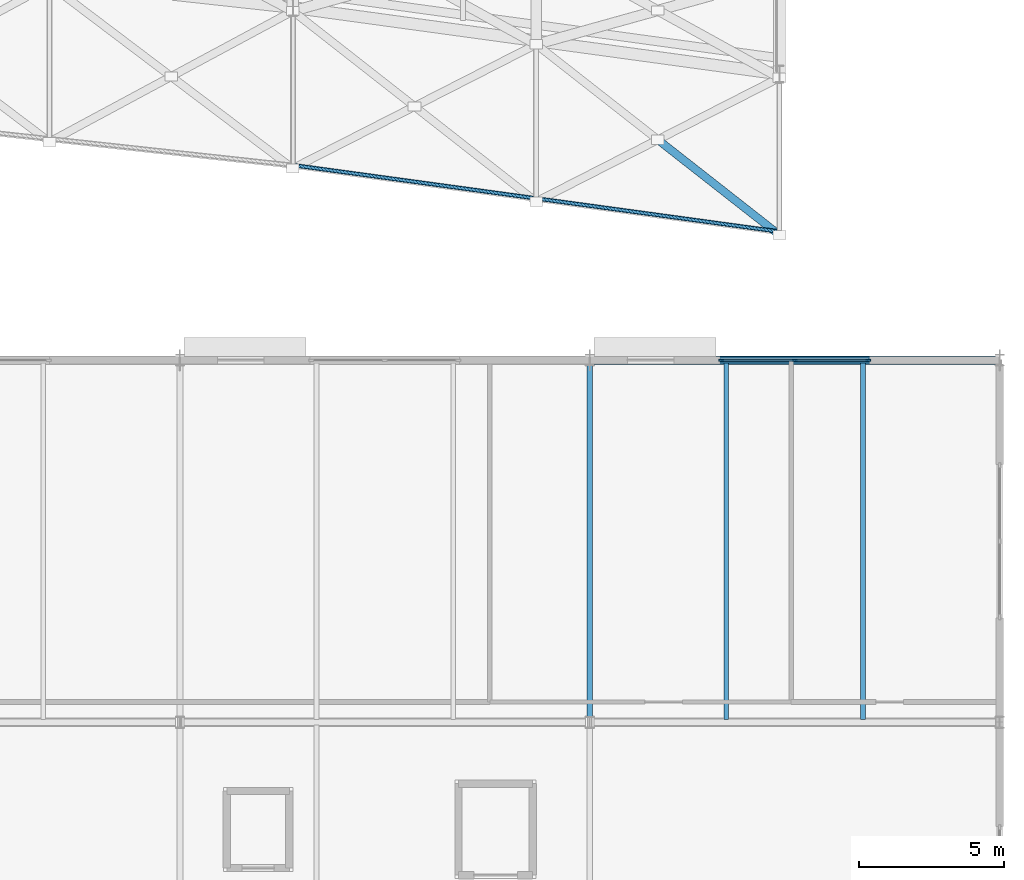
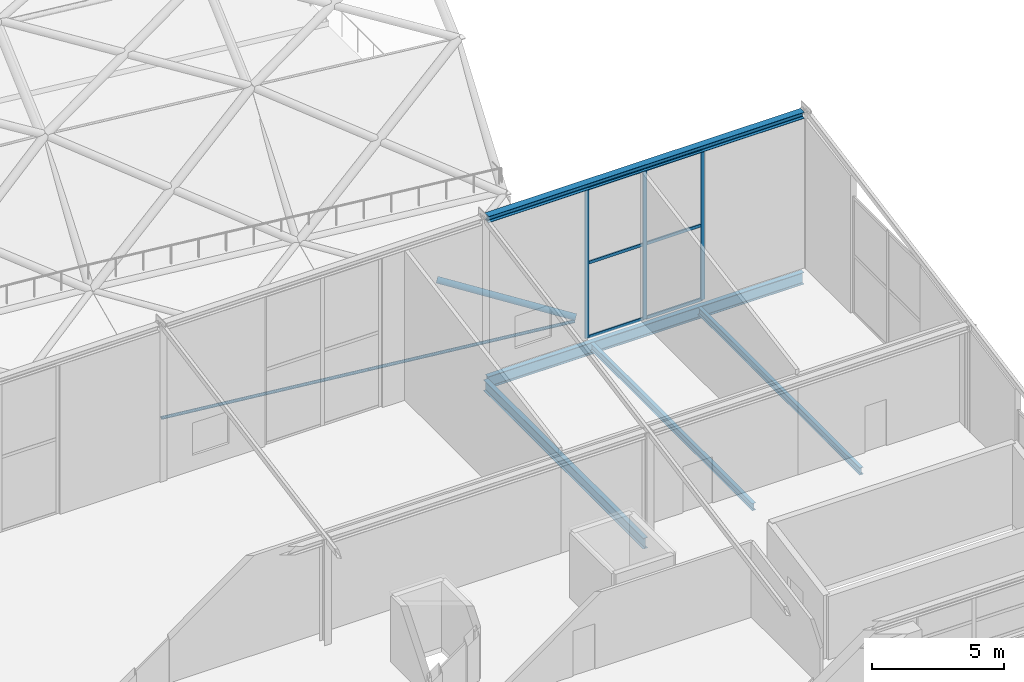
# One storey, part 49 of 100: 12 members, 5 beams, 1 element without a shape of its own.
"""IFC4 building model written with IfcOpenShell, lengths in metres."""

from ifc_helpers import new_model, si_unit, direction, frame, origin, origin_2d, place, context, subcontext, project, spatial, rectangle, hollow_circle, i_section, extrude, material, material_profile, profile_set, type_object, element, aggregate, save


model = new_model("IFC4")

# Units and contexts
model_context = context("Model", 3, precision=1e-05, world=origin(), true_north=direction((0.0, 1.0)))
body_context = subcontext(model_context, "Body", "Model", "MODEL_VIEW")
ifc_project = project(units=[si_unit("LENGTHUNIT", "METRE"), si_unit("AREAUNIT", "SQUARE_METRE"), si_unit("VOLUMEUNIT", "CUBIC_METRE"), si_unit("PLANEANGLEUNIT", "RADIAN"), si_unit("MASSUNIT", "GRAM", prefix="KILO")], contexts=[model_context])

# Site, building, storey
site_placement = place(None, origin())
site = spatial("IfcSite", under=ifc_project, at=site_placement, CompositionType="ELEMENT")
building_placement = place(site_placement, origin())
building = spatial("IfcBuilding", under=site, at=building_placement, Name="Kimbaza Rail Terminus", CompositionType="ELEMENT")
storey_placement = place(building_placement, frame((0.0, 0.0, 10.800048828125)))
storey = spatial("IfcBuildingStorey", under=building, at=storey_placement, Name="L02", CompositionType="ELEMENT", Elevation=10.800048828125)

# Curtain wall, members
ifc_material_1 = material(Name="Anodised aluminium framing and solar low-E glazing", Category="aluminium")
curtain_wall_type = type_object("IfcCurtainWallType", Name="ARC-CW-PV1", PredefinedType="USERDEFINED", material=ifc_material_1)
curtain_wall_placement = place(storey_placement, origin())
curtain_wall = element("IfcCurtainWall", 1, at=curtain_wall_placement, inside=storey, type_object=curtain_wall_type, Name="Pavilion N Curtain Wall L02.3", ObjectType="STICK CURTAIN WALL", PredefinedType="USERDEFINED")
ifc_material_2 = material(Name="Anodised architectural aluminium", Category="aluminium")
ifc_material_profile_1 = material_profile(ifc_material_2, rectangle(XDim=0.06494140625, YDim=0.175048828125, at=origin_2d()), Name="MULLION 65x175")
ifc_profile_set_1 = profile_set([ifc_material_profile_1], Name="Anodised architectural aluminium")
member_type_1 = type_object("IfcMemberType", Name="ARC-CWM-04", PredefinedType="MULLION", material=ifc_profile_set_1)
member_1_placement = place(storey_placement, frame((204.382568359375, 38.0, 0.0), z_axis=(0.0, 0.0, 1.0), x_axis=(0.0, 1.0, 0.0)))
member_1 = element("IfcMember", 2, at=member_1_placement, type_object=member_type_1, Name="CW-04 mullion 1", PredefinedType="MULLION", context=body_context, shape_type="SweptSolid", body=[
    extrude(rectangle(XDim=0.06494140625, YDim=0.175048828125, at=origin_2d()), origin(), (0.0, 0.0, 1.0), 6.945068359375),
])
member_2_placement = place(storey_placement, frame((206.925048828125, 38.0, 0.0), z_axis=(0.0, 0.0, 1.0), x_axis=(0.0, 1.0, 0.0)))
member_2 = element("IfcMember", 3, at=member_2_placement, type_object=member_type_1, Name="CW-04 mullion 2", PredefinedType="MULLION", context=body_context, shape_type="SweptSolid", body=[
    extrude(rectangle(XDim=0.06494140625, YDim=0.175048828125, at=origin_2d()), origin(), (0.0, 0.0, 1.0), 6.945068359375),
])
member_3_placement = place(storey_placement, frame((209.467529296875, 38.0, 0.0), z_axis=(0.0, 0.0, 1.0), x_axis=(0.0, 1.0, 0.0)))
member_3 = element("IfcMember", 4, at=member_3_placement, type_object=member_type_1, Name="CW-04 mullion 3", PredefinedType="MULLION", context=body_context, shape_type="SweptSolid", body=[
    extrude(rectangle(XDim=0.06494140625, YDim=0.175048828125, at=origin_2d()), origin(), (0.0, 0.0, 1.0), 6.945068359375),
])
ifc_material_3 = material(Name="Anodised architectural aluminium", Category="aluminium")
ifc_material_profile_2 = material_profile(ifc_material_3, rectangle(XDim=0.06494140625, YDim=0.139892578125, at=origin_2d()), Name="TRANSOM 65x140")
ifc_profile_set_2 = profile_set([ifc_material_profile_2], Name="Anodised architectural aluminium")
member_type_2 = type_object("IfcMemberType", Name="ARC-CWT-04", PredefinedType="USERDEFINED", material=ifc_profile_set_2)
member_4_placement = place(storey_placement, frame((204.4150390625, 38.0, 0.032470703125), z_axis=(1.0, 0.0, 0.0), x_axis=(0.0, 1.0, 0.0)))
member_4 = element("IfcMember", 5, at=member_4_placement, type_object=member_type_2, Name="CW-04 transom 1.1", ObjectType="TRANSOM", PredefinedType="USERDEFINED", context=body_context, shape_type="SweptSolid", body=[
    extrude(rectangle(XDim=0.06494140625, YDim=0.139892578125, at=origin_2d()), origin(), (0.0, 0.0, 1.0), 2.4775390625),
])
member_5_placement = place(storey_placement, frame((204.4150390625, 38.0, 3.472412109375), z_axis=(1.0, 0.0, 0.0), x_axis=(0.0, 1.0, 0.0)))
member_5 = element("IfcMember", 6, at=member_5_placement, type_object=member_type_2, Name="CW-04 transom 1.2", ObjectType="TRANSOM", PredefinedType="USERDEFINED", context=body_context, shape_type="SweptSolid", body=[
    extrude(rectangle(XDim=0.06494140625, YDim=0.139892578125, at=origin_2d()), origin(), (0.0, 0.0, 1.0), 2.4775390625),
])
member_6_placement = place(storey_placement, frame((204.4150390625, 38.0, 6.912353515625), z_axis=(1.0, 0.0, 0.0), x_axis=(0.0, 1.0, 0.0)))
member_6 = element("IfcMember", 7, at=member_6_placement, type_object=member_type_2, Name="CW-04 transom 1.3", ObjectType="TRANSOM", PredefinedType="USERDEFINED", context=body_context, shape_type="SweptSolid", body=[
    extrude(rectangle(XDim=0.06494140625, YDim=0.139892578125, at=origin_2d()), origin(), (0.0, 0.0, 1.0), 2.4775390625),
])
member_7_placement = place(storey_placement, frame((206.95751953125, 38.0, 0.032470703125), z_axis=(1.0, 0.0, 0.0), x_axis=(0.0, 1.0, 0.0)))
member_7 = element("IfcMember", 8, at=member_7_placement, type_object=member_type_2, Name="CW-04 transom 2.1", ObjectType="TRANSOM", PredefinedType="USERDEFINED", context=body_context, shape_type="SweptSolid", body=[
    extrude(rectangle(XDim=0.06494140625, YDim=0.139892578125, at=origin_2d()), origin(), (0.0, 0.0, 1.0), 2.4775390625),
])
member_8_placement = place(storey_placement, frame((206.95751953125, 38.0, 3.472412109375), z_axis=(1.0, 0.0, 0.0), x_axis=(0.0, 1.0, 0.0)))
member_8 = element("IfcMember", 9, at=member_8_placement, type_object=member_type_2, Name="CW-04 transom 2.2", ObjectType="TRANSOM", PredefinedType="USERDEFINED", context=body_context, shape_type="SweptSolid", body=[
    extrude(rectangle(XDim=0.06494140625, YDim=0.139892578125, at=origin_2d()), origin(), (0.0, 0.0, 1.0), 2.4775390625),
])
member_9_placement = place(storey_placement, frame((206.95751953125, 38.0, 6.912353515625), z_axis=(1.0, 0.0, 0.0), x_axis=(0.0, 1.0, 0.0)))
member_9 = element("IfcMember", 10, at=member_9_placement, type_object=member_type_2, Name="CW-04 transom 2.3", ObjectType="TRANSOM", PredefinedType="USERDEFINED", context=body_context, shape_type="SweptSolid", body=[
    extrude(rectangle(XDim=0.06494140625, YDim=0.139892578125, at=origin_2d()), origin(), (0.0, 0.0, 1.0), 2.4775390625),
])
aggregate(curtain_wall, [member_1, member_2, member_3, member_4, member_5, member_6, member_7, member_8, member_9])

# Beams
ifc_material_4 = material(Name="Steel S355", Category="steel")
ifc_material_profile_3 = material_profile(ifc_material_4, i_section(OverallWidth=0.300048828125, OverallDepth=0.2900390625, WebThickness=0.008544921875, FlangeThickness=0.013916015625, FilletRadius=0.027099609375, at=origin_2d()), Name="HEA 300")
ifc_profile_set_3 = profile_set([ifc_material_profile_3], Name="Steel S355")
beam_type_1 = type_object("IfcBeamType", Name="STR-BM-HEA300", PredefinedType="SPANDREL", material=ifc_profile_set_3)
beam_1_placement = place(storey_placement, frame((199.99609375, 38.0, 7.094970703125), z_axis=(1.0, 0.0, 0.0), x_axis=(0.0, 1.0, 0.0)))
element("IfcBeam", 11, at=beam_1_placement, inside=storey, type_object=beam_type_1, Name="Beam BM-V4RFX-3-2", PredefinedType="SPANDREL", context=body_context, shape_type="SweptSolid", body=[
    extrude(i_section(OverallWidth=0.300048828125, OverallDepth=0.2900390625, WebThickness=0.008544921875, FlangeThickness=0.013916015625, FilletRadius=0.027099609375, at=origin_2d()), origin(), (0.0, 0.0, 1.0), 13.85791015625),
])
ifc_material_5 = material(Name="Steel S355", Category="steel")
ifc_material_profile_4 = material_profile(ifc_material_5, i_section(OverallWidth=0.159912109375, OverallDepth=0.330078125, WebThickness=0.007568359375, FlangeThickness=0.011474609375, FilletRadius=0.01806640625, at=origin_2d()), Name="IPE 330")
ifc_profile_set_4 = profile_set([ifc_material_profile_4], Name="Steel S355")
beam_type_2 = type_object("IfcBeamType", Name="STR-BM-IPE330", PredefinedType="JOIST", material=ifc_profile_set_4)
for number, where, z_axis, x_axis, name in (
    (12, (204.566650390625, 25.60009765625, -0.385009765625), (0.0, 1.0, 0.0), (-1.0, 0.0, 0.0), "Beam JST-V4-L02-3-1-1"),
    (13, (209.283203125, 25.60009765625, -0.385009765625), (0.0, 1.0, 0.0), (-1.0, 0.0, 0.0), "Beam JST-V4-L02-3-2-1"),
):
    element("IfcBeam", number, at=place(storey_placement, frame(where, z_axis=z_axis, x_axis=x_axis)), inside=storey, type_object=beam_type_2, Name=name, PredefinedType="JOIST", context=body_context, shape_type="SweptSolid", body=[
        extrude(i_section(OverallWidth=0.159912109375, OverallDepth=0.330078125, WebThickness=0.007568359375, FlangeThickness=0.011474609375, FilletRadius=0.01806640625, at=origin_2d()), origin(), (0.0, 0.0, 1.0), 12.2998046875),
    ])
ifc_material_6 = material(Name="Steel S355", Category="steel")
ifc_material_profile_5 = material_profile(ifc_material_6, i_section(OverallWidth=0.199951171875, OverallDepth=0.5, WebThickness=0.01025390625, FlangeThickness=0.01611328125, FilletRadius=0.02099609375, at=origin_2d()), Name="IPE 500")
ifc_profile_set_5 = profile_set([ifc_material_profile_5], Name="Steel S355")
beam_type_3 = type_object("IfcBeamType", Name="STR-BM-IPE500", PredefinedType="BEAM", material=ifc_profile_set_5)
beam_2_placement = place(storey_placement, frame((199.85009765625, 25.675048828125, -0.469970703125), z_axis=(0.0, 1.0, 0.0), x_axis=(-1.0, 0.0, 0.0)))
element("IfcBeam", 14, at=beam_2_placement, inside=storey, type_object=beam_type_3, Name="Beam BM-V4Y-L02-3-1", PredefinedType="BEAM", context=body_context, shape_type="SweptSolid", body=[
    extrude(i_section(OverallWidth=0.199951171875, OverallDepth=0.5, WebThickness=0.01025390625, FlangeThickness=0.01611328125, FilletRadius=0.02099609375, at=origin_2d()), origin(), (0.0, 0.0, 1.0), 12.14990234375),
])
ifc_material_7 = material(Name="Steel S355", Category="steel")
ifc_material_profile_6 = material_profile(ifc_material_7, i_section(OverallWidth=0.2099609375, OverallDepth=0.550048828125, WebThickness=0.010986328125, FlangeThickness=0.01708984375, FilletRadius=0.02392578125, at=origin_2d()), Name="IPE 550")
ifc_profile_set_6 = profile_set([ifc_material_profile_6], Name="Steel S355")
beam_type_4 = type_object("IfcBeamType", Name="STR-BM-IPE550", PredefinedType="BEAM", material=ifc_profile_set_6)
beam_3_placement = place(storey_placement, frame((199.99609375, 38.0, -0.4951171875), z_axis=(1.0, 0.0, 0.0), x_axis=(0.0, 1.0, 0.0)))
element("IfcBeam", 15, at=beam_3_placement, inside=storey, type_object=beam_type_4, Name="Beam BM-V4X-L02-3-2", PredefinedType="BEAM", context=body_context, shape_type="SweptSolid", body=[
    extrude(i_section(OverallWidth=0.2099609375, OverallDepth=0.550048828125, WebThickness=0.010986328125, FlangeThickness=0.01708984375, FilletRadius=0.02392578125, at=origin_2d()), origin(), (0.0, 0.0, 1.0), 13.85791015625),
])

# Members
ifc_material_8 = material(Name="White painted steel S355", Category="steel")
ifc_material_profile_7 = material_profile(ifc_material_8, hollow_circle(Radius=0.06982421875, WallThickness=0.00634765625, at=origin_2d()), Name="CHS 139.7x6.3")
ifc_profile_set_7 = profile_set([ifc_material_profile_7], Name="White painted steel S355")
member_type_3 = type_object("IfcMemberType", Name="STR-MB-CHS139", PredefinedType="COLLAR", material=ifc_profile_set_7)
for number, where, z_axis, x_axis, name in (
    (16, (189.60009765625, 44.7314453125, -2.62744140625), (0.990775062808, -0.135516696087, 0.0), (0.135516696087, 0.990775062808, 0.0), "Vault lattice longitudinal purlin VR-20-VA00"),
    (17, (198.0, 43.58251953125, -2.62744140625), (0.990778928837, -0.135488428186, 0.0), (0.135488428186, 0.990778928837, 0.0), "Vault lattice longitudinal purlin VR-21-VA00"),
):
    element("IfcMember", number, at=place(storey_placement, frame(where, z_axis=z_axis, x_axis=x_axis)), inside=storey, type_object=member_type_3, Name=name, PredefinedType="COLLAR", context=body_context, shape_type="SweptSolid", body=[
        extrude(hollow_circle(Radius=0.06982421875, WallThickness=0.00634765625, at=origin_2d()), origin(), (0.0, 0.0, 1.0), 8.47802734375),
    ])
ifc_material_9 = material(Name="White painted steel S355", Category="steel")
ifc_material_profile_8 = material_profile(ifc_material_9, hollow_circle(Radius=0.136474609375, WallThickness=0.010009765625, at=origin_2d()), Name="CHS 273x10")
ifc_profile_set_8 = profile_set([ifc_material_profile_8], Name="White painted steel S355")
member_type_4 = type_object("IfcMemberType", Name="STR-MB-CHS273", PredefinedType="STRUT", material=ifc_profile_set_8)
member_10_placement = place(storey_placement, frame((206.39990234375, 42.318115234375, -2.37255859375), z_axis=(-0.767363784335, 0.601338788387, 0.222585902682), x_axis=(-0.616812718972, -0.787109947666, 0.0)))
element("IfcMember", 18, at=member_10_placement, inside=storey, type_object=member_type_4, Name="Vault lattice diagonal B1 VR-21-VA00", PredefinedType="STRUT", context=body_context, shape_type="SweptSolid", body=[
    extrude(hollow_circle(Radius=0.136474609375, WallThickness=0.010009765625, at=origin_2d()), origin(), (0.0, 0.0, 1.0), 5.47314453125),
])

save(model, "model.ifc")
